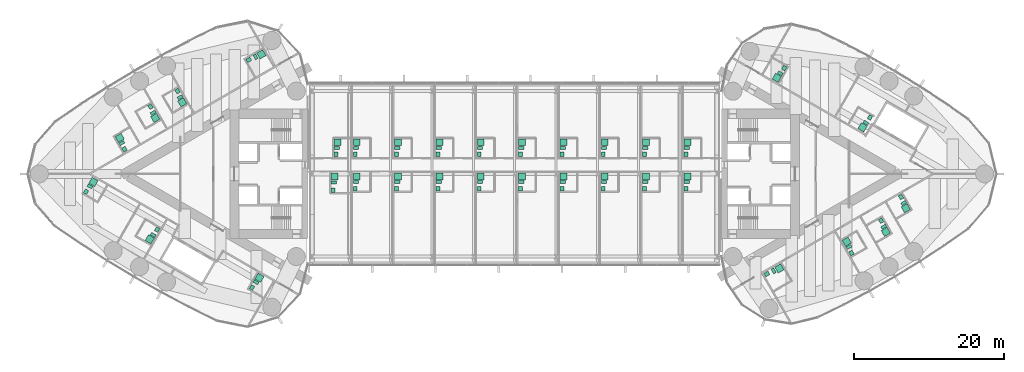
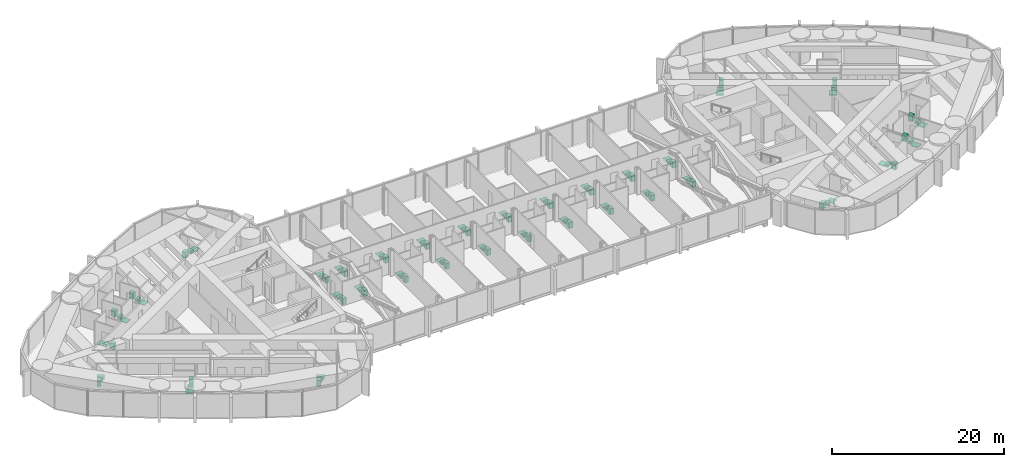
# One storey, part 23 of 23: 39 sanitary terminals.
"""IFC4 building model written with IfcOpenShell, lengths in metres."""

from ifc_helpers import new_model, si_unit, direction, frame, origin, origin_2d, place, context, subcontext, project, spatial, rectangle, extrude, material, type_object, element, save


model = new_model("IFC4")

# Units and contexts
model_context = context("Model", 3, precision=1e-05, world=origin(), true_north=direction((0.0, 1.0)))
body_context = subcontext(model_context, "Body", "Model", "MODEL_VIEW")
ifc_project = project(units=[si_unit("LENGTHUNIT", "METRE"), si_unit("AREAUNIT", "SQUARE_METRE"), si_unit("VOLUMEUNIT", "CUBIC_METRE"), si_unit("PLANEANGLEUNIT", "RADIAN"), si_unit("MASSUNIT", "GRAM", prefix="KILO")], contexts=[model_context])

# Site, building, storey
site_placement = place(None, origin())
site = spatial("IfcSite", under=ifc_project, at=site_placement, CompositionType="ELEMENT")
building_placement = place(site_placement, origin())
building = spatial("IfcBuilding", under=site, at=building_placement, Name="Lancet Gate Hotel", CompositionType="ELEMENT")
storey_placement = place(building_placement, frame((0.0, 0.0, 218.89990234375)))
storey = spatial("IfcBuildingStorey", under=building, at=storey_placement, Name="L58", CompositionType="ELEMENT", Elevation=218.89990234375)

# Sanitary terminals
ifc_material_1 = material(Name="Vitreous china sanitary ware")
sanitary_terminal_type_1 = type_object("IfcSanitaryTerminalType", Name="En-suite sanitary set (shower, WC, basin)", PredefinedType="USERDEFINED", material=ifc_material_1)
sanitary_terminal_1_placement = place(storey_placement, frame((-44.22412109375, 9.51708984375, 0.0), z_axis=(0.0, 0.0, 1.0), x_axis=(1.0, 0.0, 0.0)))
element("IfcSanitaryTerminal", 1, at=sanitary_terminal_1_placement, inside=storey, type_object=sanitary_terminal_type_1, Name="En-suite sanitary set (shower, WC, basin) 5803", ObjectType="EN-SUITE SANITARY SET", PredefinedType="USERDEFINED", context=body_context, shape_type="SweptSolid", body=[
    extrude(rectangle(XDim=0.89990234375, YDim=0.89990234375, at=origin_2d()), frame((0.0, 0.0, 0.0), z_axis=(0.0, 0.0, 1.0), x_axis=(0.5, -0.866025403784, 0.0)), (0.0, 0.0, 1.0), 0.050048828125),
    extrude(rectangle(XDim=0.39990234375, YDim=0.699951171875, at=origin_2d()), frame((-0.2783203125, 0.682373046875, 0.0), z_axis=(0.0, 0.0, 1.0), x_axis=(0.5, -0.866025403784, 0.0)), (0.0, 0.0, 1.0), 0.39990234375),
    extrude(rectangle(XDim=0.60009765625, YDim=0.5, at=origin_2d()), frame((-0.631591796875, 1.494384765625, 0.0), z_axis=(0.0, 0.0, 1.0), x_axis=(0.5, -0.866025403784, 0.0)), (0.0, 0.0, 1.0), 0.85009765625),
])
sanitary_terminal_2_placement = place(storey_placement, frame((-47.817138671875, 7.442626953125, 0.0), z_axis=(0.0, 0.0, 1.0), x_axis=(1.0, 0.0, 0.0)))
element("IfcSanitaryTerminal", 2, at=sanitary_terminal_2_placement, inside=storey, type_object=sanitary_terminal_type_1, Name="En-suite sanitary set (shower, WC, basin) 5804", ObjectType="EN-SUITE SANITARY SET", PredefinedType="USERDEFINED", context=body_context, shape_type="SweptSolid", body=[
    extrude(rectangle(XDim=0.89990234375, YDim=0.89990234375, at=origin_2d()), frame((0.0, 0.0, 0.0), z_axis=(0.0, 0.0, 1.0), x_axis=(0.5, -0.866025403784, 0.0)), (0.0, 0.0, 1.0), 0.050048828125),
    extrude(rectangle(XDim=0.39990234375, YDim=0.699951171875, at=origin_2d()), frame((-0.278564453125, 0.68212890625, 0.0), z_axis=(0.0, 0.0, 1.0), x_axis=(0.5, -0.866025403784, 0.0)), (0.0, 0.0, 1.0), 0.39990234375),
    extrude(rectangle(XDim=0.60009765625, YDim=0.5, at=origin_2d()), frame((-0.6318359375, 1.494384765625, 0.0), z_axis=(0.0, 0.0, 1.0), x_axis=(0.5, -0.866025403784, 0.0)), (0.0, 0.0, 1.0), 0.85009765625),
])
sanitary_terminal_3_placement = place(storey_placement, frame((-52.531005859375, 4.790283203125, 0.0), z_axis=(0.0, 0.0, 1.0), x_axis=(1.0, 0.0, 0.0)))
element("IfcSanitaryTerminal", 3, at=sanitary_terminal_3_placement, inside=storey, type_object=sanitary_terminal_type_1, Name="En-suite sanitary set (shower, WC, basin) 5805", ObjectType="EN-SUITE SANITARY SET", PredefinedType="USERDEFINED", context=body_context, shape_type="SweptSolid", body=[
    extrude(rectangle(XDim=0.89990234375, YDim=0.89990234375, at=origin_2d()), frame((0.0, 0.0, 0.0), z_axis=(0.0, 0.0, 1.0), x_axis=(-0.5, 0.866025403784, 0.0)), (0.0, 0.0, 1.0), 0.050048828125),
    extrude(rectangle(XDim=0.39990234375, YDim=0.699951171875, at=origin_2d()), frame((0.2783203125, -0.68212890625, 0.0), z_axis=(0.0, 0.0, 1.0), x_axis=(-0.5, 0.866025403784, 0.0)), (0.0, 0.0, 1.0), 0.39990234375),
    extrude(rectangle(XDim=0.60009765625, YDim=0.5, at=origin_2d()), frame((0.631591796875, -1.494384765625, 0.0), z_axis=(0.0, 0.0, 1.0), x_axis=(-0.5, 0.866025403784, 0.0)), (0.0, 0.0, 1.0), 0.85009765625),
])
sanitary_terminal_4_placement = place(storey_placement, frame((-56.0458984375, -1.0751953125, 0.0), z_axis=(0.0, 0.0, 1.0), x_axis=(1.0, 0.0, 0.0)))
element("IfcSanitaryTerminal", 4, at=sanitary_terminal_4_placement, inside=storey, type_object=sanitary_terminal_type_1, Name="En-suite sanitary set (shower, WC, basin) 5806", ObjectType="EN-SUITE SANITARY SET", PredefinedType="USERDEFINED", context=body_context, shape_type="SweptSolid", body=[
    extrude(rectangle(XDim=0.89990234375, YDim=0.89990234375, at=origin_2d()), frame((0.0, 0.0, 0.0), z_axis=(0.0, 0.0, 1.0), x_axis=(0.5, 0.866025403784, 0.0)), (0.0, 0.0, 1.0), 0.050048828125),
    extrude(rectangle(XDim=0.39990234375, YDim=0.699951171875, at=origin_2d()), frame((-0.45166015625, -0.582275390625, 0.0), z_axis=(0.0, 0.0, 1.0), x_axis=(0.5, 0.866025403784, 0.0)), (0.0, 0.0, 1.0), 0.39990234375),
    extrude(rectangle(XDim=0.60009765625, YDim=0.5, at=origin_2d()), frame((-0.978271484375, -1.294189453125, 0.0), z_axis=(0.0, 0.0, 1.0), x_axis=(0.5, 0.866025403784, 0.0)), (0.0, 0.0, 1.0), 0.85009765625),
])
sanitary_terminal_5_placement = place(storey_placement, frame((-48.547119140625, -8.70703125, 0.0), z_axis=(0.0, 0.0, 1.0), x_axis=(1.0, 0.0, 0.0)))
element("IfcSanitaryTerminal", 5, at=sanitary_terminal_5_placement, inside=storey, type_object=sanitary_terminal_type_1, Name="En-suite sanitary set (shower, WC, basin) 5807", ObjectType="EN-SUITE SANITARY SET", PredefinedType="USERDEFINED", context=body_context, shape_type="SweptSolid", body=[
    extrude(rectangle(XDim=0.89990234375, YDim=0.89990234375, at=origin_2d()), frame((0.0, 0.0, 0.0), z_axis=(0.0, 0.0, 1.0), x_axis=(-0.5, -0.866025403784, 0.0)), (0.0, 0.0, 1.0), 0.050048828125),
    extrude(rectangle(XDim=0.39990234375, YDim=0.699951171875, at=origin_2d()), frame((0.451416015625, 0.582275390625, 0.0), z_axis=(0.0, 0.0, 1.0), x_axis=(-0.5, -0.866025403784, 0.0)), (0.0, 0.0, 1.0), 0.39990234375),
    extrude(rectangle(XDim=0.60009765625, YDim=0.5, at=origin_2d()), frame((0.97802734375, 1.29443359375, 0.0), z_axis=(0.0, 0.0, 1.0), x_axis=(-0.5, -0.866025403784, 0.0)), (0.0, 0.0, 1.0), 0.85009765625),
])
sanitary_terminal_6_placement = place(storey_placement, frame((-33.95654296875, -13.82861328125, 0.0), z_axis=(0.0, 0.0, 1.0), x_axis=(1.0, 0.0, 0.0)))
element("IfcSanitaryTerminal", 6, at=sanitary_terminal_6_placement, inside=storey, type_object=sanitary_terminal_type_1, Name="En-suite sanitary set (shower, WC, basin) 5809", ObjectType="EN-SUITE SANITARY SET", PredefinedType="USERDEFINED", context=body_context, shape_type="SweptSolid", body=[
    extrude(rectangle(XDim=0.89990234375, YDim=0.89990234375, at=origin_2d()), frame((0.0, 0.0, 0.0), z_axis=(0.0, 0.0, 1.0), x_axis=(0.5, 0.866025403784, 0.0)), (0.0, 0.0, 1.0), 0.050048828125),
    extrude(rectangle(XDim=0.39990234375, YDim=0.699951171875, at=origin_2d()), frame((-0.45166015625, -0.582275390625, 0.0), z_axis=(0.0, 0.0, 1.0), x_axis=(0.5, 0.866025403784, 0.0)), (0.0, 0.0, 1.0), 0.39990234375),
    extrude(rectangle(XDim=0.60009765625, YDim=0.5, at=origin_2d()), frame((-0.978271484375, -1.294189453125, 0.0), z_axis=(0.0, 0.0, 1.0), x_axis=(0.5, 0.866025403784, 0.0)), (0.0, 0.0, 1.0), 0.85009765625),
])
sanitary_terminal_7_placement = place(storey_placement, frame((44.203125, -9.029296875, 0.0), z_axis=(0.0, 0.0, 1.0), x_axis=(1.0, 0.0, 0.0)))
element("IfcSanitaryTerminal", 7, at=sanitary_terminal_7_placement, inside=storey, type_object=sanitary_terminal_type_1, Name="En-suite sanitary set (shower, WC, basin) 5853", ObjectType="EN-SUITE SANITARY SET", PredefinedType="USERDEFINED", context=body_context, shape_type="SweptSolid", body=[
    extrude(rectangle(XDim=0.89990234375, YDim=0.89990234375, at=origin_2d()), frame((0.0, 0.0, 0.0), z_axis=(0.0, 0.0, 1.0), x_axis=(-0.5, 0.866025403784, 0.0)), (0.0, 0.0, 1.0), 0.050048828125),
    extrude(rectangle(XDim=0.39990234375, YDim=0.699951171875, at=origin_2d()), frame((0.278564453125, -0.68212890625, 0.0), z_axis=(0.0, 0.0, 1.0), x_axis=(-0.5, 0.866025403784, 0.0)), (0.0, 0.0, 1.0), 0.39990234375),
    extrude(rectangle(XDim=0.60009765625, YDim=0.5, at=origin_2d()), frame((0.6318359375, -1.494140625, 0.0), z_axis=(0.0, 0.0, 1.0), x_axis=(-0.5, 0.866025403784, 0.0)), (0.0, 0.0, 1.0), 0.85009765625),
])
sanitary_terminal_8_placement = place(storey_placement, frame((49.3876953125, -7.7216796875, 0.0), z_axis=(0.0, 0.0, 1.0), x_axis=(1.0, 0.0, 0.0)))
element("IfcSanitaryTerminal", 8, at=sanitary_terminal_8_placement, inside=storey, type_object=sanitary_terminal_type_1, Name="En-suite sanitary set (shower, WC, basin) 5854", ObjectType="EN-SUITE SANITARY SET", PredefinedType="USERDEFINED", context=body_context, shape_type="SweptSolid", body=[
    extrude(rectangle(XDim=0.89990234375, YDim=0.89990234375, at=origin_2d()), frame((0.0, 0.0, 0.0), z_axis=(0.0, 0.0, 1.0), x_axis=(0.5, -0.866025403784, 0.0)), (0.0, 0.0, 1.0), 0.050048828125),
    extrude(rectangle(XDim=0.39990234375, YDim=0.699951171875, at=origin_2d()), frame((-0.278564453125, 0.68212890625, 0.0), z_axis=(0.0, 0.0, 1.0), x_axis=(0.5, -0.866025403784, 0.0)), (0.0, 0.0, 1.0), 0.39990234375),
    extrude(rectangle(XDim=0.60009765625, YDim=0.5, at=origin_2d()), frame((-0.6318359375, 1.494140625, 0.0), z_axis=(0.0, 0.0, 1.0), x_axis=(0.5, -0.866025403784, 0.0)), (0.0, 0.0, 1.0), 0.85009765625),
])
sanitary_terminal_9_placement = place(storey_placement, frame((52.0498046875, -4.568115234375, 0.0), z_axis=(0.0, 0.0, 1.0), x_axis=(1.0, 0.0, 0.0)))
element("IfcSanitaryTerminal", 9, at=sanitary_terminal_9_placement, inside=storey, type_object=sanitary_terminal_type_1, Name="En-suite sanitary set (shower, WC, basin) 5855", ObjectType="EN-SUITE SANITARY SET", PredefinedType="USERDEFINED", context=body_context, shape_type="SweptSolid", body=[
    extrude(rectangle(XDim=0.89990234375, YDim=0.89990234375, at=origin_2d()), frame((0.0, 0.0, 0.0), z_axis=(0.0, 0.0, 1.0), x_axis=(0.5, -0.866025403784, 0.0)), (0.0, 0.0, 1.0), 0.050048828125),
    extrude(rectangle(XDim=0.39990234375, YDim=0.699951171875, at=origin_2d()), frame((-0.2783203125, 0.68212890625, 0.0), z_axis=(0.0, 0.0, 1.0), x_axis=(0.5, -0.866025403784, 0.0)), (0.0, 0.0, 1.0), 0.39990234375),
    extrude(rectangle(XDim=0.60009765625, YDim=0.5, at=origin_2d()), frame((-0.631591796875, 1.494140625, 0.0), z_axis=(0.0, 0.0, 1.0), x_axis=(0.5, -0.866025403784, 0.0)), (0.0, 0.0, 1.0), 0.85009765625),
])
sanitary_terminal_10_placement = place(storey_placement, frame((46.296875, 6.203857421875, 0.0), z_axis=(0.0, 0.0, 1.0), x_axis=(1.0, 0.0, 0.0)))
element("IfcSanitaryTerminal", 10, at=sanitary_terminal_10_placement, inside=storey, type_object=sanitary_terminal_type_1, Name="En-suite sanitary set (shower, WC, basin) 5858", ObjectType="EN-SUITE SANITARY SET", PredefinedType="USERDEFINED", context=body_context, shape_type="SweptSolid", body=[
    extrude(rectangle(XDim=0.89990234375, YDim=0.89990234375, at=origin_2d()), frame((0.0, 0.0, 0.0), z_axis=(0.0, 0.0, 1.0), x_axis=(-0.5, -0.866025403784, 0.0)), (0.0, 0.0, 1.0), 0.050048828125),
    extrude(rectangle(XDim=0.39990234375, YDim=0.699951171875, at=origin_2d()), frame((0.451416015625, 0.582275390625, 0.0), z_axis=(0.0, 0.0, 1.0), x_axis=(-0.5, -0.866025403784, 0.0)), (0.0, 0.0, 1.0), 0.39990234375),
    extrude(rectangle(XDim=0.60009765625, YDim=0.5, at=origin_2d()), frame((0.97802734375, 1.29443359375, 0.0), z_axis=(0.0, 0.0, 1.0), x_axis=(-0.5, -0.866025403784, 0.0)), (0.0, 0.0, 1.0), 0.85009765625),
])
sanitary_terminal_11_placement = place(storey_placement, frame((34.894775390625, 12.786865234375, 0.0), z_axis=(0.0, 0.0, 1.0), x_axis=(1.0, 0.0, 0.0)))
element("IfcSanitaryTerminal", 11, at=sanitary_terminal_11_placement, inside=storey, type_object=sanitary_terminal_type_1, Name="En-suite sanitary set (shower, WC, basin) 5859", ObjectType="EN-SUITE SANITARY SET", PredefinedType="USERDEFINED", context=body_context, shape_type="SweptSolid", body=[
    extrude(rectangle(XDim=0.89990234375, YDim=0.89990234375, at=origin_2d()), frame((0.0, 0.0, 0.0), z_axis=(0.0, 0.0, 1.0), x_axis=(-0.5, -0.866025403784, 0.0)), (0.0, 0.0, 1.0), 0.050048828125),
    extrude(rectangle(XDim=0.39990234375, YDim=0.699951171875, at=origin_2d()), frame((0.45166015625, 0.58203125, 0.0), z_axis=(0.0, 0.0, 1.0), x_axis=(-0.5, -0.866025403784, 0.0)), (0.0, 0.0, 1.0), 0.39990234375),
    extrude(rectangle(XDim=0.60009765625, YDim=0.5, at=origin_2d()), frame((0.978271484375, 1.294189453125, 0.0), z_axis=(0.0, 0.0, 1.0), x_axis=(-0.5, -0.866025403784, 0.0)), (0.0, 0.0, 1.0), 0.85009765625),
])
for number, where, z_axis, x_axis, name in (
    (12, (-21.0048828125, -0.344970703125, 0.0), (0.0, 0.0, 1.0), (1.0, 0.0, 0.0), "En-suite sanitary set (shower, WC, basin) B5802"),
    (13, (-15.5048828125, -0.344970703125, 0.0), (0.0, 0.0, 1.0), (1.0, 0.0, 0.0), "En-suite sanitary set (shower, WC, basin) B5803"),
    (14, (-10.0048828125, -0.344970703125, 0.0), (0.0, 0.0, 1.0), (1.0, 0.0, 0.0), "En-suite sanitary set (shower, WC, basin) B5804"),
    (15, (-4.5048828125, -0.344970703125, 0.0), (0.0, 0.0, 1.0), (1.0, 0.0, 0.0), "En-suite sanitary set (shower, WC, basin) B5805"),
    (16, (0.9951171875, -0.344970703125, 0.0), (0.0, 0.0, 1.0), (1.0, 0.0, 0.0), "En-suite sanitary set (shower, WC, basin) B5806"),
    (17, (6.4951171875, -0.344970703125, 0.0), (0.0, 0.0, 1.0), (1.0, 0.0, 0.0), "En-suite sanitary set (shower, WC, basin) B5807"),
    (18, (11.9951171875, -0.344970703125, 0.0), (0.0, 0.0, 1.0), (1.0, 0.0, 0.0), "En-suite sanitary set (shower, WC, basin) B5808"),
    (19, (17.4951171875, -0.344970703125, 0.0), (0.0, 0.0, 1.0), (1.0, 0.0, 0.0), "En-suite sanitary set (shower, WC, basin) B5809"),
    (20, (22.9951171875, -0.344970703125, 0.0), (0.0, 0.0, 1.0), (1.0, 0.0, 0.0), "En-suite sanitary set (shower, WC, basin) B5810"),
):
    element("IfcSanitaryTerminal", number, at=place(storey_placement, frame(where, z_axis=z_axis, x_axis=x_axis)), inside=storey, type_object=sanitary_terminal_type_1, Name=name, ObjectType="EN-SUITE SANITARY SET", PredefinedType="USERDEFINED", context=body_context, shape_type="SweptSolid", body=[
        extrude(rectangle(XDim=0.89990234375, YDim=0.89990234375, at=origin_2d()), frame((0.0, 0.0, 0.0), z_axis=(0.0, 0.0, 1.0), x_axis=(0.0, 1.0, 0.0)), (0.0, 0.0, 1.0), 0.050048828125),
        extrude(rectangle(XDim=0.39990234375, YDim=0.699951171875, at=origin_2d()), frame((-0.10009765625, -0.72998046875, 0.0), z_axis=(0.0, 0.0, 1.0), x_axis=(0.0, 1.0, 0.0)), (0.0, 0.0, 1.0), 0.39990234375),
        extrude(rectangle(XDim=0.60009765625, YDim=0.5, at=origin_2d()), frame((-0.2001953125, -1.610107421875, 0.0), z_axis=(0.0, 0.0, 1.0), x_axis=(0.0, 1.0, 0.0)), (0.0, 0.0, 1.0), 0.85009765625),
    ])
sanitary_terminal_12_placement = place(storey_placement, frame((-23.554931640625, 4.205078125, 0.0), z_axis=(0.0, 0.0, 1.0), x_axis=(1.0, 0.0, 0.0)))
element("IfcSanitaryTerminal", 21, at=sanitary_terminal_12_placement, inside=storey, type_object=sanitary_terminal_type_1, Name="En-suite sanitary set (shower, WC, basin) B5811", ObjectType="EN-SUITE SANITARY SET", PredefinedType="USERDEFINED", context=body_context, shape_type="SweptSolid", body=[
    extrude(rectangle(XDim=0.89990234375, YDim=0.89990234375, at=origin_2d()), frame((0.0, 0.0, 0.0), z_axis=(0.0, 0.0, 1.0), x_axis=(0.0, 1.0, 0.0)), (0.0, 0.0, 1.0), 0.050048828125),
    extrude(rectangle(XDim=0.39990234375, YDim=0.699951171875, at=origin_2d()), frame((-0.10009765625, -0.72998046875, 0.0), z_axis=(0.0, 0.0, 1.0), x_axis=(0.0, 1.0, 0.0)), (0.0, 0.0, 1.0), 0.39990234375),
    extrude(rectangle(XDim=0.60009765625, YDim=0.5, at=origin_2d()), frame((-0.199951171875, -1.610107421875, 0.0), z_axis=(0.0, 0.0, 1.0), x_axis=(0.0, 1.0, 0.0)), (0.0, 0.0, 1.0), 0.85009765625),
])
for number, where, z_axis, x_axis, name in (
    (22, (-21.0048828125, 4.205078125, 0.0), (0.0, 0.0, 1.0), (1.0, 0.0, 0.0), "En-suite sanitary set (shower, WC, basin) B5812"),
    (23, (-15.5048828125, 4.205078125, 0.0), (0.0, 0.0, 1.0), (1.0, 0.0, 0.0), "En-suite sanitary set (shower, WC, basin) B5813"),
    (24, (-10.0048828125, 4.205078125, 0.0), (0.0, 0.0, 1.0), (1.0, 0.0, 0.0), "En-suite sanitary set (shower, WC, basin) B5814"),
    (25, (-4.5048828125, 4.205078125, 0.0), (0.0, 0.0, 1.0), (1.0, 0.0, 0.0), "En-suite sanitary set (shower, WC, basin) B5815"),
    (26, (0.9951171875, 4.205078125, 0.0), (0.0, 0.0, 1.0), (1.0, 0.0, 0.0), "En-suite sanitary set (shower, WC, basin) B5816"),
    (27, (6.4951171875, 4.205078125, 0.0), (0.0, 0.0, 1.0), (1.0, 0.0, 0.0), "En-suite sanitary set (shower, WC, basin) B5817"),
    (28, (11.9951171875, 4.205078125, 0.0), (0.0, 0.0, 1.0), (1.0, 0.0, 0.0), "En-suite sanitary set (shower, WC, basin) B5818"),
    (29, (17.4951171875, 4.205078125, 0.0), (0.0, 0.0, 1.0), (1.0, 0.0, 0.0), "En-suite sanitary set (shower, WC, basin) B5819"),
    (30, (22.9951171875, 4.205078125, 0.0), (0.0, 0.0, 1.0), (1.0, 0.0, 0.0), "En-suite sanitary set (shower, WC, basin) B5820"),
):
    element("IfcSanitaryTerminal", number, at=place(storey_placement, frame(where, z_axis=z_axis, x_axis=x_axis)), inside=storey, type_object=sanitary_terminal_type_1, Name=name, ObjectType="EN-SUITE SANITARY SET", PredefinedType="USERDEFINED", context=body_context, shape_type="SweptSolid", body=[
        extrude(rectangle(XDim=0.89990234375, YDim=0.89990234375, at=origin_2d()), frame((0.0, 0.0, 0.0), z_axis=(0.0, 0.0, 1.0), x_axis=(0.0, 1.0, 0.0)), (0.0, 0.0, 1.0), 0.050048828125),
        extrude(rectangle(XDim=0.39990234375, YDim=0.699951171875, at=origin_2d()), frame((-0.10009765625, -0.72998046875, 0.0), z_axis=(0.0, 0.0, 1.0), x_axis=(0.0, 1.0, 0.0)), (0.0, 0.0, 1.0), 0.39990234375),
        extrude(rectangle(XDim=0.60009765625, YDim=0.5, at=origin_2d()), frame((-0.2001953125, -1.610107421875, 0.0), z_axis=(0.0, 0.0, 1.0), x_axis=(0.0, 1.0, 0.0)), (0.0, 0.0, 1.0), 0.85009765625),
    ])
ifc_material_2 = material(Name="Stone resin shower tray", Category="masonry")
sanitary_terminal_type_2 = type_object("IfcSanitaryTerminalType", Name="Shower tray 900", PredefinedType="SHOWER", material=ifc_material_2)
for number, where, z_axis, x_axis, name in (
    (31, (-33.6953125, 15.896240234375, 0.0), (0.0, 0.0, 1.0), (0.866025403784, 0.5, 0.0), "Shower tray 900 5802"),
    (32, (35.2412109375, -12.5869140625, 0.0), (0.0, 0.0, 1.0), (0.866025403784, 0.5, 0.0), "Shower tray 900 5852"),
    (33, (-23.955078125, -0.344970703125, 0.0), (0.0, 0.0, 1.0), (0.0, 1.0, 0.0), "Shower tray 900 B5801"),
):
    element("IfcSanitaryTerminal", number, at=place(storey_placement, frame(where, z_axis=z_axis, x_axis=x_axis)), inside=storey, type_object=sanitary_terminal_type_2, Name=name, PredefinedType="SHOWER", context=body_context, shape_type="SweptSolid", body=[
        extrude(rectangle(XDim=0.89990234375, YDim=0.89990234375, at=origin_2d()), origin(), (0.0, 0.0, 1.0), 0.050048828125),
    ])
ifc_material_3 = material(Name="Vitreous china sanitary ware")
sanitary_terminal_type_3 = type_object("IfcSanitaryTerminalType", Name="Vanity basin 600", PredefinedType="WASHHANDBASIN", material=ifc_material_3)
for number, where, z_axis, x_axis, name in (
    (34, (-35.36279296875, 15.164306640625, 0.0), (0.0, 0.0, 1.0), (0.866025403784, 0.5, 0.0), "Vanity basin 600 5802"),
    (35, (33.57373046875, -13.318603515625, 0.0), (0.0, 0.0, 1.0), (0.866025403784, 0.5, 0.0), "Vanity basin 600 5852"),
    (36, (-24.155029296875, -2.155029296875, 0.0), (0.0, 0.0, 1.0), (0.0, 1.0, 0.0), "Vanity basin 600 B5801"),
):
    element("IfcSanitaryTerminal", number, at=place(storey_placement, frame(where, z_axis=z_axis, x_axis=x_axis)), inside=storey, type_object=sanitary_terminal_type_3, Name=name, PredefinedType="WASHHANDBASIN", context=body_context, shape_type="SweptSolid", body=[
        extrude(rectangle(XDim=0.60009765625, YDim=0.5, at=origin_2d()), origin(), (0.0, 0.0, 1.0), 0.85009765625),
    ])
ifc_material_4 = material(Name="Vitreous china sanitary ware")
sanitary_terminal_type_4 = type_object("IfcSanitaryTerminalType", Name="WC pan wall hung", PredefinedType="TOILETPAN", material=ifc_material_4)
for number, where, z_axis, x_axis, name in (
    (37, (-34.464111328125, 15.56787109375, 0.000244140625), (0.0, 0.0, 1.0), (0.866025403784, 0.5, 0.0), "WC pan wall hung 5802"),
    (38, (34.472412109375, -12.915283203125, 0.000244140625), (0.0, 0.0, 1.0), (0.866025403784, 0.5, 0.0), "WC pan wall hung 5852"),
    (39, (-24.054931640625, -1.175048828125, 0.000244140625), (0.0, 0.0, 1.0), (0.0, 1.0, 0.0), "WC pan wall hung B5801"),
):
    element("IfcSanitaryTerminal", number, at=place(storey_placement, frame(where, z_axis=z_axis, x_axis=x_axis)), inside=storey, type_object=sanitary_terminal_type_4, Name=name, PredefinedType="TOILETPAN", context=body_context, shape_type="SweptSolid", body=[
        extrude(rectangle(XDim=0.39990234375, YDim=0.699951171875, at=origin_2d()), origin(), (0.0, 0.0, 1.0), 0.39990234375),
    ])

save(model, "model.ifc")
